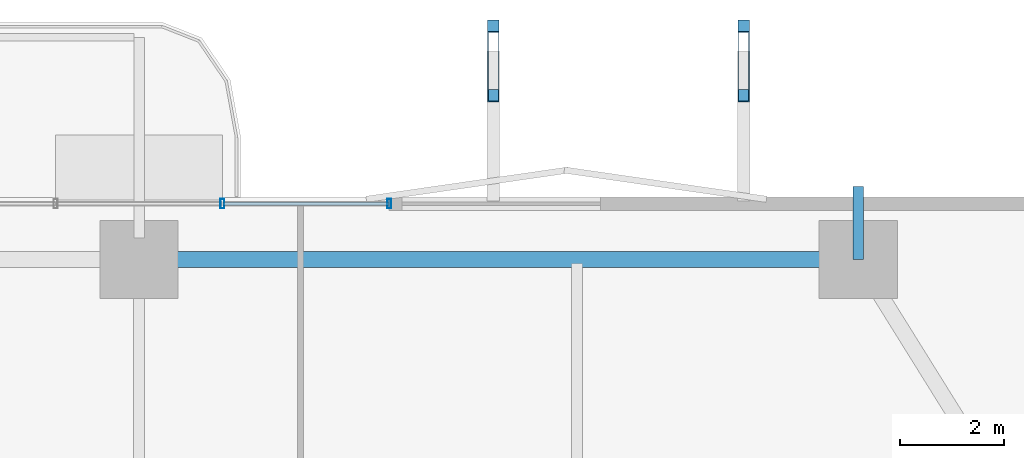
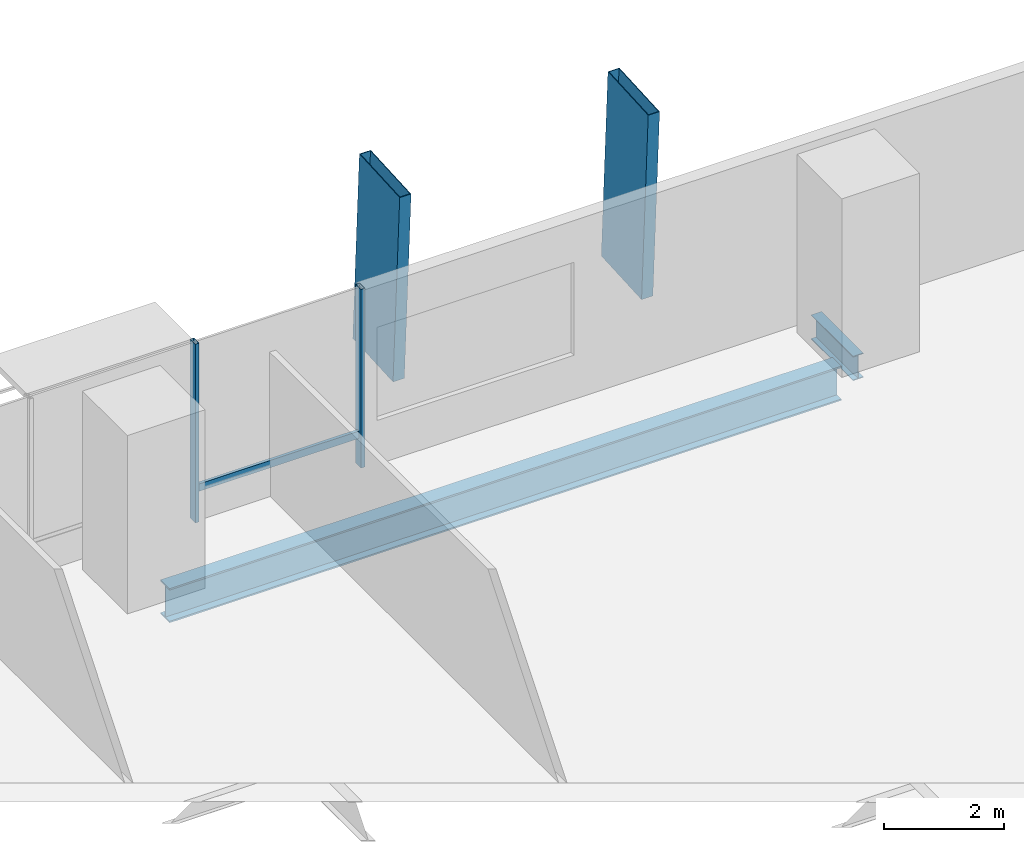
# One storey, part 15 of 24: 5 members, 2 beams, 1 element without a shape of its own.
"""IFC4 building model written with IfcOpenShell, lengths in metres."""

from ifc_helpers import new_model, si_unit, direction, frame, origin, origin_2d, place, context, subcontext, project, spatial, hollow_rectangle, i_section, extrude, material, layer, layer_set, material_profile, profile_set, type_object, element, aggregate, save


model = new_model("IFC4")

# Units and contexts
model_context = context("Model", 3, precision=1e-05, world=origin(), true_north=direction((0.0, 1.0)))
body_context = subcontext(model_context, "Body", "Model", "MODEL_VIEW")
ifc_project = project(units=[si_unit("LENGTHUNIT", "METRE"), si_unit("AREAUNIT", "SQUARE_METRE"), si_unit("VOLUMEUNIT", "CUBIC_METRE"), si_unit("PLANEANGLEUNIT", "RADIAN"), si_unit("MASSUNIT", "GRAM", prefix="KILO")], contexts=[model_context])

# Site, building, storey
site_placement = place(None, origin())
site = spatial("IfcSite", under=ifc_project, at=site_placement, CompositionType="ELEMENT")
building_placement = place(site_placement, origin())
building = spatial("IfcBuilding", under=site, at=building_placement, Name="Belovzor Exchange Tower", CompositionType="ELEMENT")
storey_placement = place(building_placement, frame((0.0, 0.0, 45.60009765625)))
storey = spatial("IfcBuildingStorey", under=building, at=storey_placement, Name="L10", CompositionType="ELEMENT", Elevation=45.60009765625)

# Members
ifc_material_1 = material(Name="Extruded Architectural Terracotta on Steel S355 Carrier", Category="masonry")
ifc_material_profile_1 = material_profile(ifc_material_1, hollow_rectangle(XDim=0.219970703125, YDim=1.35009765625, WallThickness=0.013916015625, at=origin_2d()))
ifc_profile_set_1 = profile_set([ifc_material_profile_1], Name="Extruded Architectural Terracotta on Steel S355 Carrier")
member_type_1 = type_object("IfcMemberType", Name="Base Arc Sweeping Terracotta Pylon Fin 1450", PredefinedType="USERDEFINED", material=ifc_profile_set_1)
for number, where, z_axis, x_axis, name in (
    (1, (35.60009765625, 59.4208984375, -0.25), (0.0, -0.057062249796, 0.998370622388), (1.0, 0.0, 0.0), "FIN-TC145 Terracotta Facade Fin L10 N3"),
    (2, (40.39990234375, 59.4208984375, -0.25), (0.0, -0.057062249796, 0.998370622388), (1.0, 0.0, 0.0), "FIN-TC145 Terracotta Facade Fin L10 N4"),
):
    element("IfcMember", number, at=place(storey_placement, frame(where, z_axis=z_axis, x_axis=x_axis)), inside=storey, type_object=member_type_1, Name=name, ObjectType="FIN", PredefinedType="USERDEFINED", context=body_context, shape_type="SweptSolid", body=[
        extrude(hollow_rectangle(XDim=0.219970703125, YDim=1.35009765625, WallThickness=0.013916015625, at=origin_2d()), origin(), (0.0, 0.0, 1.0), 3.90625),
    ])

# Beam
ifc_material_2 = material(Name="Steel S355", Category="steel")
ifc_material_profile_2 = material_profile(ifc_material_2, i_section(OverallWidth=0.199951171875, OverallDepth=0.5, WebThickness=0.01025390625, FlangeThickness=0.01611328125, at=origin_2d()))
ifc_profile_set_2 = profile_set([ifc_material_profile_2], Name="Steel S355")
beam_type_1 = type_object("IfcBeamType", Name="Planted Balcony Cantilever Beam IPE 500", PredefinedType="BEAM", material=ifc_profile_set_2)
beam_1_placement = place(storey_placement, frame((42.60009765625, 55.5, -0.5), z_axis=(0.0, 1.0, 0.0), x_axis=(-1.0, 0.0, 0.0)))
element("IfcBeam", 3, at=beam_1_placement, inside=storey, type_object=beam_type_1, Name="BC-500 Planted Balcony Cantilever Beam IPE 500", PredefinedType="BEAM", context=body_context, shape_type="SweptSolid", body=[
    extrude(i_section(OverallWidth=0.199951171875, OverallDepth=0.5, WebThickness=0.01025390625, FlangeThickness=0.01611328125, at=origin_2d()), origin(), (0.0, 0.0, 1.0), 1.39990234375),
])

# Curtain wall, members
ifc_material_3 = material(Name="Anodised Aluminium Framing", Category="aluminium")
ifc_layer = layer(ifc_material_3, 0.179931640625)
ifc_layer_set = layer_set([ifc_layer], Name="Anodised Aluminium Framing")
curtain_wall_type = type_object("IfcCurtainWallType", Name="Recessed Loggia Low-Iron Triple-Glazed Curtain Wall", PredefinedType="NOTDEFINED", material=ifc_layer_set)
curtain_wall_placement = place(storey_placement, origin())
curtain_wall = element("IfcCurtainWall", 4, at=curtain_wall_placement, inside=storey, type_object=curtain_wall_type, Name="CW3 Recessed Loggia Low-Iron Triple-Glazed Curtain Wall L10", PredefinedType="NOTDEFINED")
ifc_material_4 = material(Name="Steel S355", Category="steel")
ifc_material_profile_3 = material_profile(ifc_material_4, hollow_rectangle(XDim=0.074951171875, YDim=0.179931640625, WallThickness=0.0048828125, at=origin_2d()))
ifc_profile_set_3 = profile_set([ifc_material_profile_3], Name="Steel S355")
member_type_2 = type_object("IfcMemberType", Name="Thermally Broken Curtain Wall Mullion 180x75", PredefinedType="MULLION", material=ifc_profile_set_3)
member_1_placement = place(storey_placement, frame((30.39990234375, 56.570068359375, 0.0), z_axis=(0.0, 0.0, 1.0), x_axis=(1.0, 0.0, 0.0)))
member_1 = element("IfcMember", 5, at=member_1_placement, type_object=member_type_2, Name="CW-M180 Curtain Wall Mullion 3", PredefinedType="MULLION", context=body_context, shape_type="SweptSolid", body=[
    extrude(hollow_rectangle(XDim=0.074951171875, YDim=0.179931640625, WallThickness=0.0048828125, at=origin_2d()), origin(), (0.0, 0.0, 1.0), 3.64990234375),
])
member_2_placement = place(storey_placement, frame((33.60009765625, 56.570068359375, 0.0), z_axis=(0.0, 0.0, 1.0), x_axis=(1.0, 0.0, 0.0)))
member_2 = element("IfcMember", 6, at=member_2_placement, type_object=member_type_2, Name="CW-M180 Curtain Wall Mullion 4", PredefinedType="MULLION", context=body_context, shape_type="SweptSolid", body=[
    extrude(hollow_rectangle(XDim=0.074951171875, YDim=0.179931640625, WallThickness=0.0048828125, at=origin_2d()), origin(), (0.0, 0.0, 1.0), 3.64990234375),
])
ifc_material_5 = material(Name="Steel S355", Category="steel")
ifc_material_profile_4 = material_profile(ifc_material_5, hollow_rectangle(XDim=0.06005859375, YDim=0.14990234375, WallThickness=0.00390625, at=origin_2d()))
ifc_profile_set_4 = profile_set([ifc_material_profile_4], Name="Steel S355")
member_type_3 = type_object("IfcMemberType", Name="Thermally Broken Curtain Wall Transom 150x60", PredefinedType="USERDEFINED", material=ifc_profile_set_4)
member_3_placement = place(storey_placement, frame((30.407958984375, 56.570068359375, 0.64990234375), z_axis=(1.0, 0.0, 0.0), x_axis=(0.0, 1.0, 0.0)))
member_3 = element("IfcMember", 7, at=member_3_placement, type_object=member_type_3, Name="CW-T150 Curtain Wall Transom 3", ObjectType="TRANSOM", PredefinedType="USERDEFINED", context=body_context, shape_type="SweptSolid", body=[
    extrude(hollow_rectangle(XDim=0.06005859375, YDim=0.14990234375, WallThickness=0.00390625, at=origin_2d()), origin(), (0.0, 0.0, 1.0), 3.18408203125),
])
aggregate(curtain_wall, [member_1, member_2, member_3])

# Beam
ifc_material_6 = material(Name="Steel S355", Category="steel")
ifc_material_profile_5 = material_profile(ifc_material_6, i_section(OverallWidth=0.300048828125, OverallDepth=0.699951171875, WebThickness=0.01708984375, FlangeThickness=0.031982421875, at=origin_2d()))
ifc_profile_set_5 = profile_set([ifc_material_profile_5], Name="Steel S355")
beam_type_2 = type_object("IfcBeamType", Name="Zone 1 Primary Perimeter Girder HEB 700", PredefinedType="BEAM", material=ifc_profile_set_5)
beam_2_placement = place(storey_placement, frame((42.18798828125, 55.5, -0.60009765625), z_axis=(-1.0, 0.0, 0.0), x_axis=(0.0, -1.0, 0.0)))
element("IfcBeam", 8, at=beam_2_placement, inside=storey, type_object=beam_type_2, Name="FG-Z1 Zone 1 Primary Perimeter Girder HEB 700", PredefinedType="BEAM", context=body_context, shape_type="SweptSolid", body=[
    extrude(i_section(OverallWidth=0.300048828125, OverallDepth=0.699951171875, WebThickness=0.01708984375, FlangeThickness=0.031982421875, at=origin_2d()), origin(), (0.0, 0.0, 1.0), 12.97509765625),
])

save(model, "model.ifc")
